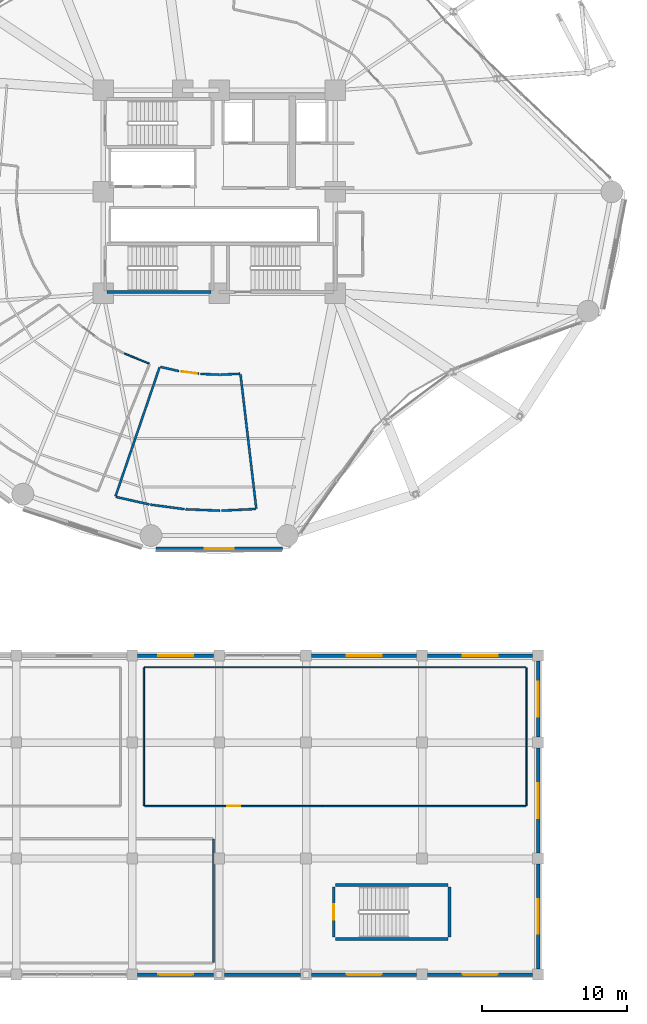
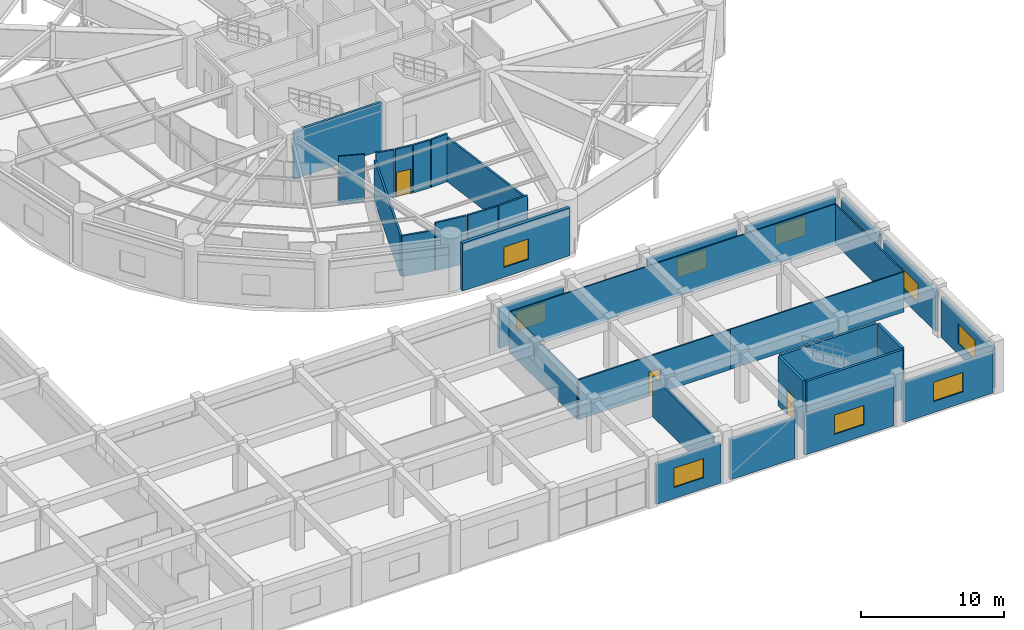
# One storey, part 43 of 53: 33 walls, 10 windows, 3 doors, 13 openings.
"""IFC4 building model written with IfcOpenShell, lengths in metres."""

from ifc_helpers import new_model, si_unit, direction, frame, frame_2d, origin, place, context, subcontext, project, spatial, rectangle, extrude, material, layer, layer_set, type_object, element, fill, save


model = new_model("IFC4")

# Units and contexts
model_context = context("Model", 3, precision=1e-05, world=origin(), true_north=direction((0.0, 1.0)))
body_context = subcontext(model_context, "Body", "Model", "MODEL_VIEW")
ifc_project = project(units=[si_unit("LENGTHUNIT", "METRE"), si_unit("AREAUNIT", "SQUARE_METRE"), si_unit("VOLUMEUNIT", "CUBIC_METRE"), si_unit("PLANEANGLEUNIT", "RADIAN"), si_unit("MASSUNIT", "GRAM", prefix="KILO")], contexts=[model_context])

# Site, building, storey
site_placement = place(None, origin())
site = spatial("IfcSite", under=ifc_project, at=site_placement, CompositionType="ELEMENT")
building_placement = place(site_placement, origin())
building = spatial("IfcBuilding", under=site, at=building_placement, Name="Kelanora Arch Commons", CompositionType="ELEMENT")
storey_placement = place(building_placement, frame((0.0, 0.0, 9.0)))
storey = spatial("IfcBuildingStorey", under=building, at=storey_placement, Name="L02", CompositionType="ELEMENT", Elevation=9.0)

# Wall, opening, door
ifc_material_1 = material(Name="Autoclaved aerated concrete blockwork with fire plaster", Category="masonry")
ifc_layer_1 = layer(ifc_material_1, 0.14990234375)
ifc_layer_set_1 = layer_set([ifc_layer_1], Name="Autoclaved aerated concrete blockwork with fire plaster")
wall_type_1 = type_object("IfcWallType", Name="W-COMP-150", PredefinedType="PARTITIONING", material=ifc_layer_set_1)
wall_1_placement = place(storey_placement, frame((71.324462890625, 45.614013671875, 0.0), z_axis=(0.0, 0.0, 1.0), x_axis=(0.991368591811, -0.131104214925, 0.0)))
wall_1 = element("IfcWall", 1, at=wall_1_placement, inside=storey, type_object=wall_type_1, Name="Tower Podium Study Archive Store L02 Entry Partition", PredefinedType="PARTITIONING", context=body_context, shape_type="SweptSolid", body=[
    extrude(rectangle(XDim=1.282958984375, YDim=0.14990234375, at=frame_2d((0.6416015625, 0.0))), origin(), (0.0, 0.0, 1.0), 4.090087890625),
])
opening_1_placement = place(wall_1_placement, frame((0.10205078125, 0.0, 0.0)))
opening_1 = element("IfcOpeningElement", 2, at=opening_1_placement, cuts=wall_1, Name="Opening D-PLT1", PredefinedType="OPENING", context=body_context, shape_type="SweptSolid", body=[
    extrude(rectangle(XDim=1.080078125, YDim=2.10009765625, at=frame_2d((0.5400390625, 1.050048828125))), frame((0.0, 0.0849609375, 0.0), z_axis=(0.0, -1.0, 0.0), x_axis=(1.0, 0.0, 0.0)), (0.0, 0.0, 1.0), 0.169921875),
])
ifc_material_2 = material(Name="Galvanised steel plant and riser fire door", Category="steel")
door_type_1 = type_object("IfcDoorType", Name="D-PLT-110", OperationType="NOTDEFINED", PredefinedType="DOOR", material=ifc_material_2)
door_1_placement = place(opening_1_placement, origin())
door_1 = element("IfcDoor", 3, at=door_1_placement, inside=storey, type_object=door_type_1, Name="Tower Podium Study Archive Store L02 Door", OperationType="SINGLE_SWING_LEFT", OverallHeight=2.10009765625, OverallWidth=1.080078125, PredefinedType="DOOR", context=body_context, shape_type="SweptSolid", body=[
    extrude(rectangle(XDim=1.080078125, YDim=2.10009765625, at=frame_2d((0.5400390625, 1.050048828125))), frame((0.0, 0.02490234375, 0.0), z_axis=(0.0, -1.0, 0.0), x_axis=(1.0, 0.0, 0.0)), (0.0, 0.0, 1.0), 0.050048828125),
])
fill(opening_1, door_1)

# Walls
wall_2_placement = place(storey_placement, frame((73.60009765625, 4.840087890625, 0.0), z_axis=(0.0, 0.0, 1.0), x_axis=(0.0, 1.0, 0.0)))
element("IfcWall", 4, at=wall_2_placement, inside=storey, type_object=wall_type_1, Name="Market South Cold Room and Dry Store L02 Enclosure Partition 2", PredefinedType="PARTITIONING", context=body_context, shape_type="SweptSolid", body=[
    extrude(rectangle(XDim=8.5, YDim=0.14990234375, at=frame_2d((4.25, 0.0))), origin(), (0.0, 0.0, 1.0), 3.425048828125),
])
wall_3_placement = place(storey_placement, frame((69.93994140625, 45.922119140625, 0.0), z_axis=(0.0, 0.0, 1.0), x_axis=(0.975303517649, -0.220868849005, 0.0)))
element("IfcWall", 5, at=wall_3_placement, inside=storey, type_object=wall_type_1, Name="Tower Podium Study Archive Store L02 Enclosure Partition 1", PredefinedType="PARTITIONING", context=body_context, shape_type="SweptSolid", body=[
    extrude(rectangle(XDim=1.318603515625, YDim=0.14990234375, at=frame_2d((0.6591796875, 0.0))), origin(), (0.0, 0.0, 1.0), 4.090087890625),
])
wall_4_placement = place(storey_placement, frame((72.696044921875, 45.436279296875, 0.0), z_axis=(0.0, 0.0, 1.0), x_axis=(0.99914926966, -0.041239991967, 0.0)))
element("IfcWall", 6, at=wall_4_placement, inside=storey, type_object=wall_type_1, Name="Tower Podium Study Archive Store L02 Enclosure Partition 3", PredefinedType="PARTITIONING", context=body_context, shape_type="SweptSolid", body=[
    extrude(rectangle(XDim=1.326171875, YDim=0.14990234375, at=frame_2d((0.6630859375, 0.0))), origin(), (0.0, 0.0, 1.0), 4.090087890625),
])
wall_5_placement = place(storey_placement, frame((74.10107421875, 45.382080078125, 0.0), z_axis=(0.0, 0.0, 1.0), x_axis=(0.998799198372, 0.04899144141, 0.0)))
element("IfcWall", 7, at=wall_5_placement, inside=storey, type_object=wall_type_1, Name="Tower Podium Study Archive Store L02 Enclosure Partition 4", PredefinedType="PARTITIONING", context=body_context, shape_type="SweptSolid", body=[
    extrude(rectangle(XDim=1.32568359375, YDim=0.14990234375, at=frame_2d((0.662841796875, 0.0))), origin(), (0.0, 0.0, 1.0), 4.090087890625),
])
wall_6_placement = place(storey_placement, frame((75.4697265625, 45.4091796875, 0.0), z_axis=(0.0, 0.0, 1.0), x_axis=(0.116693695048, -0.99316795233, 0.0)))
element("IfcWall", 8, at=wall_6_placement, inside=storey, type_object=wall_type_1, Name="Tower Podium Study Archive Store L02 Enclosure Partition 5", PredefinedType="PARTITIONING", context=body_context, shape_type="SweptSolid", body=[
    extrude(rectangle(XDim=9.312255859375, YDim=0.14990234375, at=frame_2d((4.65625, 0.0))), origin(), (0.0, 0.0, 1.0), 3.784912109375),
])
for number, where, z_axis, x_axis, name in (
    (9, (76.52099609375, 36.118896484375, 0.0), (0.0, 0.0, 1.0), (-0.998788951196, -0.049199908229, 0.0), "Tower Podium Study Archive Store L02 Enclosure Partition 6"),
    (10, (74.06689453125, 36.001708984375, 0.0), (0.0, 0.0, 1.0), (-0.999155708173, 0.041083705106, 0.0), "Tower Podium Study Archive Store L02 Enclosure Partition 7"),
):
    element("IfcWall", number, at=place(storey_placement, frame(where, z_axis=z_axis, x_axis=x_axis)), inside=storey, type_object=wall_type_1, Name=name, PredefinedType="PARTITIONING", context=body_context, shape_type="SweptSolid", body=[
        extrude(rectangle(XDim=2.376953125, YDim=0.14990234375, at=frame_2d((1.1884765625, 0.0))), origin(), (0.0, 0.0, 1.0), 4.090087890625),
    ])
wall_7_placement = place(storey_placement, frame((71.6123046875, 36.106201171875, 0.0), z_axis=(0.0, 0.0, 1.0), x_axis=(-0.991346104904, 0.131274141745, 0.0)))
element("IfcWall", 11, at=wall_7_placement, inside=storey, type_object=wall_type_1, Name="Tower Podium Study Archive Store L02 Enclosure Partition 8", PredefinedType="PARTITIONING", context=body_context, shape_type="SweptSolid", body=[
    extrude(rectangle(XDim=2.373046875, YDim=0.14990234375, at=frame_2d((1.1865234375, 0.0))), origin(), (0.0, 0.0, 1.0), 4.090087890625),
])
wall_8_placement = place(storey_placement, frame((69.180908203125, 36.431884765625, 0.0), z_axis=(0.0, 0.0, 1.0), x_axis=(-0.975459616938, 0.220178417932, 0.0)))
element("IfcWall", 12, at=wall_8_placement, inside=storey, type_object=wall_type_1, Name="Tower Podium Study Archive Store L02 Enclosure Partition 9", PredefinedType="PARTITIONING", context=body_context, shape_type="SweptSolid", body=[
    extrude(rectangle(XDim=2.363037109375, YDim=0.14990234375, at=frame_2d((1.181640625, 0.0))), origin(), (0.0, 0.0, 1.0), 3.485107421875),
])
wall_9_placement = place(storey_placement, frame((66.849853515625, 36.998779296875, 0.0), z_axis=(0.0, 0.0, 1.0), x_axis=(0.323263569932, 0.946308968759, 0.0)))
element("IfcWall", 13, at=wall_9_placement, inside=storey, type_object=wall_type_1, Name="Tower Podium Study Archive Store L02 Enclosure Partition 10", PredefinedType="PARTITIONING", context=body_context, shape_type="SweptSolid", body=[
    extrude(rectangle(XDim=9.39892578125, YDim=0.14990234375, at=frame_2d((4.699462890625, 0.0))), origin(), (0.0, 0.0, 1.0), 3.485107421875),
])

# Wall, opening, window
ifc_material_3 = material(Name="Precast concrete C40/50 with terracotta ceramic cladding", Category="masonry")
ifc_layer_2 = layer(ifc_material_3, 0.25)
ifc_layer_set_2 = layer_set([ifc_layer_2], Name="Precast concrete C40/50 with terracotta ceramic cladding")
wall_type_2 = type_object("IfcWallType", Name="W-EXT-MKT", PredefinedType="SOLIDWALL", material=ifc_layer_set_2)
wall_10_placement = place(storey_placement, frame((68.3798828125, 4.0, 0.0), z_axis=(0.0, 0.0, 1.0), x_axis=(1.0, 0.0, 0.0)))
wall_10 = element("IfcWall", 14, at=wall_10_placement, inside=storey, type_object=wall_type_2, Name="Market Hall Exterior Wall L02-08", PredefinedType="SOLIDWALL", context=body_context, shape_type="SweptSolid", body=[
    extrude(rectangle(XDim=5.240234375, YDim=0.25, at=frame_2d((2.6201171875, 0.0))), origin(), (0.0, 0.0, 1.0), 3.419921875),
])
opening_2_placement = place(wall_10_placement, frame((1.419921875, 0.0, 0.949951171875)))
opening_2 = element("IfcOpeningElement", 15, at=opening_2_placement, cuts=wall_10, Name="Opening WN-03", PredefinedType="OPENING", context=body_context, shape_type="SweptSolid", body=[
    extrude(rectangle(XDim=2.39990234375, YDim=1.64990234375, at=frame_2d((1.199951171875, 0.824951171875))), frame((0.0, 0.135009765625, 0.0), z_axis=(0.0, -1.0, 0.0), x_axis=(1.0, 0.0, 0.0)), (0.0, 0.0, 1.0), 0.27001953125),
])
ifc_material_4 = material(Name="Bronze-terracotta aluminium monsoon clerestory window", Category="masonry")
window_type_1 = type_object("IfcWindowType", Name="WIN-MKT-24", PartitioningType="TRIPLE_PANEL_VERTICAL", PredefinedType="WINDOW", material=ifc_material_4)
window_1_placement = place(opening_2_placement, origin())
window_1 = element("IfcWindow", 16, at=window_1_placement, inside=storey, type_object=window_type_1, Name="Market Hall Clerestory Window L02-08", OverallHeight=1.64990234375, OverallWidth=2.39990234375, PartitioningType="SINGLE_PANEL", PredefinedType="WINDOW", context=body_context, shape_type="SweptSolid", body=[
    extrude(rectangle(XDim=2.39990234375, YDim=1.64990234375, at=frame_2d((1.199951171875, 0.824951171875))), frame((0.0, 0.030029296875, 0.0), z_axis=(0.0, -1.0, 0.0), x_axis=(1.0, 0.0, 0.0)), (0.0, 0.0, 1.0), 0.06005859375),
])
fill(opening_2, window_1)

# Wall
wall_11_placement = place(storey_placement, frame((74.3798828125, 4.0, 0.0), z_axis=(0.0, 0.0, 1.0), x_axis=(1.0, 0.0, 0.0)))
element("IfcWall", 17, at=wall_11_placement, inside=storey, type_object=wall_type_2, Name="Market Hall Exterior Wall L02-09", PredefinedType="SOLIDWALL", context=body_context, shape_type="SweptSolid", body=[
    extrude(rectangle(XDim=5.240234375, YDim=0.25, at=frame_2d((2.6201171875, 0.0))), origin(), (0.0, 0.0, 1.0), 3.419921875),
])

# Wall, opening, window
wall_12_placement = place(storey_placement, frame((80.3798828125, 4.0, 0.0), z_axis=(0.0, 0.0, 1.0), x_axis=(1.0, 0.0, 0.0)))
wall_12 = element("IfcWall", 18, at=wall_12_placement, inside=storey, type_object=wall_type_2, Name="Market Hall Exterior Wall L02-10", PredefinedType="SOLIDWALL", context=body_context, shape_type="SweptSolid", body=[
    extrude(rectangle(XDim=7.240234375, YDim=0.25, at=frame_2d((3.6201171875, 0.0))), origin(), (0.0, 0.0, 1.0), 3.419921875),
])
opening_3_placement = place(wall_12_placement, frame((2.419921875, 0.0, 0.949951171875)))
opening_3 = element("IfcOpeningElement", 19, at=opening_3_placement, cuts=wall_12, Name="Opening WN-03", PredefinedType="OPENING", context=body_context, shape_type="SweptSolid", body=[
    extrude(rectangle(XDim=2.39990234375, YDim=1.64990234375, at=frame_2d((1.199951171875, 0.824951171875))), frame((0.0, 0.135009765625, 0.0), z_axis=(0.0, -1.0, 0.0), x_axis=(1.0, 0.0, 0.0)), (0.0, 0.0, 1.0), 0.27001953125),
])
window_2_placement = place(opening_3_placement, origin())
window_2 = element("IfcWindow", 20, at=window_2_placement, inside=storey, type_object=window_type_1, Name="Market Hall Clerestory Window L02-10", OverallHeight=1.64990234375, OverallWidth=2.39990234375, PartitioningType="SINGLE_PANEL", PredefinedType="WINDOW", context=body_context, shape_type="SweptSolid", body=[
    extrude(rectangle(XDim=2.39990234375, YDim=1.64990234375, at=frame_2d((1.199951171875, 0.824951171875))), frame((0.0, 0.030029296875, 0.0), z_axis=(0.0, -1.0, 0.0), x_axis=(1.0, 0.0, 0.0)), (0.0, 0.0, 1.0), 0.06005859375),
])
fill(opening_3, window_2)

wall_13_placement = place(storey_placement, frame((88.3798828125, 4.0, 0.0), z_axis=(0.0, 0.0, 1.0), x_axis=(1.0, 0.0, 0.0)))
wall_13 = element("IfcWall", 21, at=wall_13_placement, inside=storey, type_object=wall_type_2, Name="Market Hall Exterior Wall L02-11", PredefinedType="SOLIDWALL", context=body_context, shape_type="SweptSolid", body=[
    extrude(rectangle(XDim=7.240234375, YDim=0.25, at=frame_2d((3.6201171875, 0.0))), origin(), (0.0, 0.0, 1.0), 3.419921875),
])
opening_4_placement = place(wall_13_placement, frame((2.419921875, 0.0, 0.949951171875)))
opening_4 = element("IfcOpeningElement", 22, at=opening_4_placement, cuts=wall_13, Name="Opening WN-03", PredefinedType="OPENING", context=body_context, shape_type="SweptSolid", body=[
    extrude(rectangle(XDim=2.39990234375, YDim=1.64990234375, at=frame_2d((1.199951171875, 0.824951171875))), frame((0.0, 0.135009765625, 0.0), z_axis=(0.0, -1.0, 0.0), x_axis=(1.0, 0.0, 0.0)), (0.0, 0.0, 1.0), 0.27001953125),
])
window_3_placement = place(opening_4_placement, origin())
window_3 = element("IfcWindow", 23, at=window_3_placement, inside=storey, type_object=window_type_1, Name="Market Hall Clerestory Window L02-11", OverallHeight=1.64990234375, OverallWidth=2.39990234375, PartitioningType="SINGLE_PANEL", PredefinedType="WINDOW", context=body_context, shape_type="SweptSolid", body=[
    extrude(rectangle(XDim=2.39990234375, YDim=1.64990234375, at=frame_2d((1.199951171875, 0.824951171875))), frame((0.0, 0.030029296875, 0.0), z_axis=(0.0, -1.0, 0.0), x_axis=(1.0, 0.0, 0.0)), (0.0, 0.0, 1.0), 0.06005859375),
])
fill(opening_4, window_3)

wall_14_placement = place(storey_placement, frame((96.0, 4.3798828125, 0.0), z_axis=(0.0, 0.0, 1.0), x_axis=(0.0, 1.0, 0.0)))
wall_14 = element("IfcWall", 24, at=wall_14_placement, inside=storey, type_object=wall_type_2, Name="Market Hall Exterior Wall L02-12", PredefinedType="SOLIDWALL", context=body_context, shape_type="SweptSolid", body=[
    extrude(rectangle(XDim=7.240234375, YDim=0.25, at=frame_2d((3.6201171875, 0.0))), origin(), (0.0, 0.0, 1.0), 3.419921875),
])
opening_5_placement = place(wall_14_placement, frame((2.419921875, 0.0, 0.949951171875)))
opening_5 = element("IfcOpeningElement", 25, at=opening_5_placement, cuts=wall_14, Name="Opening WN-03", PredefinedType="OPENING", context=body_context, shape_type="SweptSolid", body=[
    extrude(rectangle(XDim=2.39990234375, YDim=1.64990234375, at=frame_2d((1.199951171875, 0.824951171875))), frame((0.0, 0.135009765625, 0.0), z_axis=(0.0, -1.0, 0.0), x_axis=(1.0, 0.0, 0.0)), (0.0, 0.0, 1.0), 0.27001953125),
])
window_4_placement = place(opening_5_placement, origin())
window_4 = element("IfcWindow", 26, at=window_4_placement, inside=storey, type_object=window_type_1, Name="Market Hall Clerestory Window L02-12", OverallHeight=1.64990234375, OverallWidth=2.39990234375, PartitioningType="SINGLE_PANEL", PredefinedType="WINDOW", context=body_context, shape_type="SweptSolid", body=[
    extrude(rectangle(XDim=2.39990234375, YDim=1.64990234375, at=frame_2d((1.199951171875, 0.824951171875))), frame((0.0, 0.030029296875, 0.0), z_axis=(0.0, -1.0, 0.0), x_axis=(1.0, 0.0, 0.0)), (0.0, 0.0, 1.0), 0.06005859375),
])
fill(opening_5, window_4)

wall_15_placement = place(storey_placement, frame((96.0, 12.3798828125, 0.0), z_axis=(0.0, 0.0, 1.0), x_axis=(0.0, 1.0, 0.0)))
wall_15 = element("IfcWall", 27, at=wall_15_placement, inside=storey, type_object=wall_type_2, Name="Market Hall Exterior Wall L02-13", PredefinedType="SOLIDWALL", context=body_context, shape_type="SweptSolid", body=[
    extrude(rectangle(XDim=7.240234375, YDim=0.25, at=frame_2d((3.6201171875, 0.0))), origin(), (0.0, 0.0, 1.0), 3.419921875),
])
opening_6_placement = place(wall_15_placement, frame((2.419921875, 0.0, 0.949951171875)))
opening_6 = element("IfcOpeningElement", 28, at=opening_6_placement, cuts=wall_15, Name="Opening WN-03", PredefinedType="OPENING", context=body_context, shape_type="SweptSolid", body=[
    extrude(rectangle(XDim=2.39990234375, YDim=1.64990234375, at=frame_2d((1.199951171875, 0.824951171875))), frame((0.0, 0.135009765625, 0.0), z_axis=(0.0, -1.0, 0.0), x_axis=(1.0, 0.0, 0.0)), (0.0, 0.0, 1.0), 0.27001953125),
])
window_5_placement = place(opening_6_placement, origin())
window_5 = element("IfcWindow", 29, at=window_5_placement, inside=storey, type_object=window_type_1, Name="Market Hall Clerestory Window L02-13", OverallHeight=1.64990234375, OverallWidth=2.39990234375, PartitioningType="SINGLE_PANEL", PredefinedType="WINDOW", context=body_context, shape_type="SweptSolid", body=[
    extrude(rectangle(XDim=2.39990234375, YDim=1.64990234375, at=frame_2d((1.199951171875, 0.824951171875))), frame((0.0, 0.030029296875, 0.0), z_axis=(0.0, -1.0, 0.0), x_axis=(1.0, 0.0, 0.0)), (0.0, 0.0, 1.0), 0.06005859375),
])
fill(opening_6, window_5)

wall_16_placement = place(storey_placement, frame((96.0, 20.3798828125, 0.0), z_axis=(0.0, 0.0, 1.0), x_axis=(0.0, 1.0, 0.0)))
wall_16 = element("IfcWall", 30, at=wall_16_placement, inside=storey, type_object=wall_type_2, Name="Market Hall Exterior Wall L02-14", PredefinedType="SOLIDWALL", context=body_context, shape_type="SweptSolid", body=[
    extrude(rectangle(XDim=5.240234375, YDim=0.25, at=frame_2d((2.6201171875, 0.0))), origin(), (0.0, 0.0, 1.0), 3.419921875),
])
opening_7_placement = place(wall_16_placement, frame((1.419921875, 0.0, 0.949951171875)))
opening_7 = element("IfcOpeningElement", 31, at=opening_7_placement, cuts=wall_16, Name="Opening WN-03", PredefinedType="OPENING", context=body_context, shape_type="SweptSolid", body=[
    extrude(rectangle(XDim=2.39990234375, YDim=1.64990234375, at=frame_2d((1.199951171875, 0.824951171875))), frame((0.0, 0.135009765625, 0.0), z_axis=(0.0, -1.0, 0.0), x_axis=(1.0, 0.0, 0.0)), (0.0, 0.0, 1.0), 0.27001953125),
])
window_6_placement = place(opening_7_placement, origin())
window_6 = element("IfcWindow", 32, at=window_6_placement, inside=storey, type_object=window_type_1, Name="Market Hall Clerestory Window L02-14", OverallHeight=1.64990234375, OverallWidth=2.39990234375, PartitioningType="SINGLE_PANEL", PredefinedType="WINDOW", context=body_context, shape_type="SweptSolid", body=[
    extrude(rectangle(XDim=2.39990234375, YDim=1.64990234375, at=frame_2d((1.199951171875, 0.824951171875))), frame((0.0, 0.030029296875, 0.0), z_axis=(0.0, -1.0, 0.0), x_axis=(1.0, 0.0, 0.0)), (0.0, 0.0, 1.0), 0.06005859375),
])
fill(opening_7, window_6)

wall_17_placement = place(storey_placement, frame((95.6201171875, 26.0, 0.0), z_axis=(0.0, 0.0, 1.0), x_axis=(-1.0, 0.0, 0.0)))
wall_17 = element("IfcWall", 33, at=wall_17_placement, inside=storey, type_object=wall_type_2, Name="Market Hall Exterior Wall L02-15", PredefinedType="SOLIDWALL", context=body_context, shape_type="SweptSolid", body=[
    extrude(rectangle(XDim=7.240234375, YDim=0.25, at=frame_2d((3.6201171875, 0.0))), origin(), (0.0, 0.0, 1.0), 3.419921875),
])
opening_8_placement = place(wall_17_placement, frame((2.419921875, 0.0, 0.949951171875)))
opening_8 = element("IfcOpeningElement", 34, at=opening_8_placement, cuts=wall_17, Name="Opening WN-03", PredefinedType="OPENING", context=body_context, shape_type="SweptSolid", body=[
    extrude(rectangle(XDim=2.39990234375, YDim=1.64990234375, at=frame_2d((1.199951171875, 0.824951171875))), frame((0.0, 0.135009765625, 0.0), z_axis=(0.0, -1.0, 0.0), x_axis=(1.0, 0.0, 0.0)), (0.0, 0.0, 1.0), 0.27001953125),
])
window_7_placement = place(opening_8_placement, origin())
window_7 = element("IfcWindow", 35, at=window_7_placement, inside=storey, type_object=window_type_1, Name="Market Hall Clerestory Window L02-15", OverallHeight=1.64990234375, OverallWidth=2.39990234375, PartitioningType="SINGLE_PANEL", PredefinedType="WINDOW", context=body_context, shape_type="SweptSolid", body=[
    extrude(rectangle(XDim=2.39990234375, YDim=1.64990234375, at=frame_2d((1.199951171875, 0.824951171875))), frame((0.0, 0.030029296875, 0.0), z_axis=(0.0, -1.0, 0.0), x_axis=(1.0, 0.0, 0.0)), (0.0, 0.0, 1.0), 0.06005859375),
])
fill(opening_8, window_7)

wall_18_placement = place(storey_placement, frame((87.6201171875, 26.0, 0.0), z_axis=(0.0, 0.0, 1.0), x_axis=(-1.0, 0.0, 0.0)))
wall_18 = element("IfcWall", 36, at=wall_18_placement, inside=storey, type_object=wall_type_2, Name="Market Hall Exterior Wall L02-16", PredefinedType="SOLIDWALL", context=body_context, shape_type="SweptSolid", body=[
    extrude(rectangle(XDim=7.240234375, YDim=0.25, at=frame_2d((3.6201171875, 0.0))), origin(), (0.0, 0.0, 1.0), 3.419921875),
])
opening_9_placement = place(wall_18_placement, frame((2.419921875, 0.0, 0.949951171875)))
opening_9 = element("IfcOpeningElement", 37, at=opening_9_placement, cuts=wall_18, Name="Opening WN-03", PredefinedType="OPENING", context=body_context, shape_type="SweptSolid", body=[
    extrude(rectangle(XDim=2.39990234375, YDim=1.64990234375, at=frame_2d((1.199951171875, 0.824951171875))), frame((0.0, 0.135009765625, 0.0), z_axis=(0.0, -1.0, 0.0), x_axis=(1.0, 0.0, 0.0)), (0.0, 0.0, 1.0), 0.27001953125),
])
window_8_placement = place(opening_9_placement, origin())
window_8 = element("IfcWindow", 38, at=window_8_placement, inside=storey, type_object=window_type_1, Name="Market Hall Clerestory Window L02-16", OverallHeight=1.64990234375, OverallWidth=2.39990234375, PartitioningType="SINGLE_PANEL", PredefinedType="WINDOW", context=body_context, shape_type="SweptSolid", body=[
    extrude(rectangle(XDim=2.39990234375, YDim=1.64990234375, at=frame_2d((1.199951171875, 0.824951171875))), frame((0.0, 0.030029296875, 0.0), z_axis=(0.0, -1.0, 0.0), x_axis=(1.0, 0.0, 0.0)), (0.0, 0.0, 1.0), 0.06005859375),
])
fill(opening_9, window_8)

wall_19_placement = place(storey_placement, frame((73.6201171875, 26.0, 0.0), z_axis=(0.0, 0.0, 1.0), x_axis=(-1.0, 0.0, 0.0)))
wall_19 = element("IfcWall", 39, at=wall_19_placement, inside=storey, type_object=wall_type_2, Name="Market Hall Exterior Wall L02-18", PredefinedType="SOLIDWALL", context=body_context, shape_type="SweptSolid", body=[
    extrude(rectangle(XDim=5.240234375, YDim=0.25, at=frame_2d((2.6201171875, 0.0))), origin(), (0.0, 0.0, 1.0), 3.419921875),
])
opening_10_placement = place(wall_19_placement, frame((1.419921875, 0.0, 0.949951171875)))
opening_10 = element("IfcOpeningElement", 40, at=opening_10_placement, cuts=wall_19, Name="Opening WN-03", PredefinedType="OPENING", context=body_context, shape_type="SweptSolid", body=[
    extrude(rectangle(XDim=2.39990234375, YDim=1.64990234375, at=frame_2d((1.199951171875, 0.824951171875))), frame((0.0, 0.135009765625, 0.0), z_axis=(0.0, -1.0, 0.0), x_axis=(1.0, 0.0, 0.0)), (0.0, 0.0, 1.0), 0.27001953125),
])
window_9_placement = place(opening_10_placement, origin())
window_9 = element("IfcWindow", 41, at=window_9_placement, inside=storey, type_object=window_type_1, Name="Market Hall Clerestory Window L02-18", OverallHeight=1.64990234375, OverallWidth=2.39990234375, PartitioningType="SINGLE_PANEL", PredefinedType="WINDOW", context=body_context, shape_type="SweptSolid", body=[
    extrude(rectangle(XDim=2.39990234375, YDim=1.64990234375, at=frame_2d((1.199951171875, 0.824951171875))), frame((0.0, 0.030029296875, 0.0), z_axis=(0.0, -1.0, 0.0), x_axis=(1.0, 0.0, 0.0)), (0.0, 0.0, 1.0), 0.06005859375),
])
fill(opening_10, window_9)

ifc_material_5 = material(Name="Precast concrete C40/50 with terracotta rainscreen", Category="masonry")
ifc_layer_3 = layer(ifc_material_5, 0.260009765625)
ifc_layer_set_3 = layer_set([ifc_layer_3], Name="Precast concrete C40/50 with terracotta rainscreen")
wall_type_3 = type_object("IfcWallType", Name="W-EXT-TC", PredefinedType="SOLIDWALL", material=ifc_layer_set_3)
wall_20_placement = place(storey_placement, frame((69.64404296875, 33.3798828125, 0.0), z_axis=(0.0, 0.0, 1.0), x_axis=(1.0, 0.0, 0.0)))
wall_20 = element("IfcWall", 42, at=wall_20_placement, inside=storey, type_object=wall_type_3, Name="Terracotta Exterior Wall L02-B13", PredefinedType="SOLIDWALL", context=body_context, shape_type="SweptSolid", body=[
    extrude(rectangle(XDim=8.7119140625, YDim=0.260009765625, at=frame_2d((4.35595703125, 0.0))), origin(), (0.0, 0.0, 1.0), 4.0849609375),
])
opening_11_placement = place(wall_20_placement, frame((3.35595703125, 0.0, 0.85009765625)))
opening_11 = element("IfcOpeningElement", 43, at=opening_11_placement, cuts=wall_20, Name="Opening WN-05", PredefinedType="OPENING", context=body_context, shape_type="SweptSolid", body=[
    extrude(rectangle(XDim=2.0, YDim=1.75, at=frame_2d((1.0, 0.875))), frame((0.0, 0.14013671875, 0.0), z_axis=(0.0, -1.0, 0.0), x_axis=(1.0, 0.0, 0.0)), (0.0, 0.0, 1.0), 0.280029296875),
])
ifc_material_6 = material(Name="Terracotta-anodised aluminium podium window", Category="masonry")
window_type_2 = type_object("IfcWindowType", Name="WIN-POD-20", PartitioningType="TRIPLE_PANEL_VERTICAL", PredefinedType="WINDOW", material=ifc_material_6)
window_10_placement = place(opening_11_placement, origin())
window_10 = element("IfcWindow", 44, at=window_10_placement, inside=storey, type_object=window_type_2, Name="Podium Window L02-B13", OverallHeight=1.75, OverallWidth=2.0, PartitioningType="SINGLE_PANEL", PredefinedType="WINDOW", context=body_context, shape_type="SweptSolid", body=[
    extrude(rectangle(XDim=2.0, YDim=1.75, at=frame_2d((1.0, 0.875))), frame((0.0, 0.030029296875, 0.0), z_axis=(0.0, -1.0, 0.0), x_axis=(1.0, 0.0, 0.0)), (0.0, 0.0, 1.0), 0.06005859375),
])
fill(opening_11, window_10)

# Walls
ifc_material_7 = material(Name="Lightweight fire-rated acoustic stud partition")
ifc_layer_4 = layer(ifc_material_7, 0.10009765625)
ifc_layer_set_4 = layer_set([ifc_layer_4], Name="Lightweight fire-rated acoustic stud partition")
wall_type_4 = type_object("IfcWallType", Name="W-PART-100", PredefinedType="PARTITIONING", material=ifc_layer_set_4)
wall_21_placement = place(storey_placement, frame((81.139892578125, 15.6201171875, 0.0), z_axis=(0.0, 0.0, 1.0), x_axis=(1.0, 0.0, 0.0)))
element("IfcWall", 45, at=wall_21_placement, inside=storey, type_object=wall_type_4, Name="Community Design Incubator Enclosure Partition 1", PredefinedType="PARTITIONING", context=body_context, shape_type="SweptSolid", body=[
    extrude(rectangle(XDim=14.02001953125, YDim=0.10009765625, at=frame_2d((7.010009765625, 0.0))), origin(), (0.0, 0.0, 1.0), 3.425048828125),
])
wall_22_placement = place(storey_placement, frame((95.199951171875, 15.659912109375, 0.0), z_axis=(0.0, 0.0, 1.0), x_axis=(0.0, 1.0, 0.0)))
element("IfcWall", 46, at=wall_22_placement, inside=storey, type_object=wall_type_4, Name="Community Design Incubator Enclosure Partition 2", PredefinedType="PARTITIONING", context=body_context, shape_type="SweptSolid", body=[
    extrude(rectangle(XDim=9.5, YDim=0.10009765625, at=frame_2d((4.75, 0.0))), origin(), (0.0, 0.0, 1.0), 3.425048828125),
])
wall_23_placement = place(storey_placement, frame((95.159912109375, 25.199951171875, 0.0), z_axis=(0.0, 0.0, 1.0), x_axis=(-1.0, 0.0, 0.0)))
element("IfcWall", 47, at=wall_23_placement, inside=storey, type_object=wall_type_4, Name="Community Design Incubator Enclosure Partition 3", PredefinedType="PARTITIONING", context=body_context, shape_type="SweptSolid", body=[
    extrude(rectangle(XDim=26.31982421875, YDim=0.10009765625, at=frame_2d((13.159912109375, 0.0))), origin(), (0.0, 0.0, 1.0), 3.425048828125),
])
wall_24_placement = place(storey_placement, frame((68.800048828125, 25.159912109375, 0.0), z_axis=(0.0, 0.0, 1.0), x_axis=(0.0, -1.0, 0.0)))
element("IfcWall", 48, at=wall_24_placement, inside=storey, type_object=wall_type_4, Name="Community Design Incubator Enclosure Partition 4", PredefinedType="PARTITIONING", context=body_context, shape_type="SweptSolid", body=[
    extrude(rectangle(XDim=9.5, YDim=0.10009765625, at=frame_2d((4.75, 0.0))), origin(), (0.0, 0.0, 1.0), 3.425048828125),
])
wall_25_placement = place(storey_placement, frame((67.455078125, 46.842041015625, 0.0), z_axis=(0.0, 0.0, 1.0), x_axis=(0.928312348694, -0.371801268505, 0.0)))
element("IfcWall", 49, at=wall_25_placement, inside=storey, type_object=wall_type_4, Name="Student Laundromat and Fitness Studio L02-C Enclosure Partition 4", PredefinedType="PARTITIONING", context=body_context, shape_type="SweptSolid", body=[
    extrude(rectangle(XDim=1.84521484375, YDim=0.10009765625, at=frame_2d((0.922607421875, 0.0))), origin(), (0.0, 0.0, 1.0), 4.090087890625),
])

# Wall, opening, door
ifc_material_8 = material(Name="Acoustic twin-stud fire-rated gypsum partition")
ifc_layer_5 = layer(ifc_material_8, 0.1201171875)
ifc_layer_set_5 = layer_set([ifc_layer_5], Name="Acoustic twin-stud fire-rated gypsum partition")
wall_type_5 = type_object("IfcWallType", Name="W-PART-120", PredefinedType="PARTITIONING", material=ifc_layer_set_5)
wall_26_placement = place(storey_placement, frame((68.860107421875, 15.6201171875, 0.0), z_axis=(0.0, 0.0, 1.0), x_axis=(1.0, 0.0, 0.0)))
wall_26 = element("IfcWall", 50, at=wall_26_placement, inside=storey, type_object=wall_type_5, Name="Community Design Incubator Entry Partition", PredefinedType="PARTITIONING", context=body_context, shape_type="SweptSolid", body=[
    extrude(rectangle(XDim=12.27978515625, YDim=0.1201171875, at=frame_2d((6.139892578125, 0.0))), origin(), (0.0, 0.0, 1.0), 3.425048828125),
])
opening_12_placement = place(wall_26_placement, frame((5.68994140625, 0.0, 0.0)))
opening_12 = element("IfcOpeningElement", 51, at=opening_12_placement, cuts=wall_26, Name="Opening D-RM1", PredefinedType="OPENING", context=body_context, shape_type="SweptSolid", body=[
    extrude(rectangle(XDim=0.89990234375, YDim=2.080078125, at=frame_2d((0.449951171875, 1.0400390625))), frame((0.0, 0.070068359375, 0.0), z_axis=(0.0, -1.0, 0.0), x_axis=(1.0, 0.0, 0.0)), (0.0, 0.0, 1.0), 0.14013671875),
])
ifc_material_9 = material(Name="Acoustic fire-rated timber study and lounge door", Category="wood")
door_type_2 = type_object("IfcDoorType", Name="D-ROOM-90", OperationType="NOTDEFINED", PredefinedType="DOOR", material=ifc_material_9)
door_2_placement = place(opening_12_placement, origin())
door_2 = element("IfcDoor", 52, at=door_2_placement, inside=storey, type_object=door_type_2, Name="Community Design Incubator Door", OperationType="SINGLE_SWING_LEFT", OverallHeight=2.080078125, OverallWidth=0.89990234375, PredefinedType="DOOR", context=body_context, shape_type="SweptSolid", body=[
    extrude(rectangle(XDim=0.89990234375, YDim=2.080078125, at=frame_2d((0.449951171875, 1.0400390625))), frame((0.0, 0.02490234375, 0.0), z_axis=(0.0, -1.0, 0.0), x_axis=(1.0, 0.0, 0.0)), (0.0, 0.0, 1.0), 0.050048828125),
])
fill(opening_12, door_2)

# Walls
ifc_material_10 = material(Name="Concrete C40/50", Category="concrete")
ifc_layer_6 = layer(ifc_material_10, 0.199951171875)
ifc_layer_set_6 = layer_set([ifc_layer_6], Name="Concrete C40/50")
wall_type_6 = type_object("IfcWallType", Name="W-STAIR-200", PredefinedType="SHEAR", material=ifc_layer_set_6)
wall_27_placement = place(storey_placement, frame((66.260009765625, 51.080078125, 0.0), z_axis=(0.0, 0.0, 1.0), x_axis=(1.0, 0.0, 0.0)))
element("IfcWall", 53, at=wall_27_placement, inside=storey, type_object=wall_type_6, Name="Stair ST-T3 Shaft Wall S L02", PredefinedType="SHEAR", context=body_context, shape_type="SweptSolid", body=[
    extrude(rectangle(XDim=7.159912109375, YDim=0.199951171875, at=frame_2d((3.580078125, 0.0))), origin(), (0.0, 0.0, 1.0), 4.10009765625),
])
wall_28_placement = place(storey_placement, frame((82.02001953125, 6.4599609375, 0.0), z_axis=(0.0, 0.0, 1.0), x_axis=(1.0, 0.0, 0.0)))
element("IfcWall", 54, at=wall_28_placement, inside=storey, type_object=wall_type_6, Name="Stair ST-M2 Shaft Wall S L02", PredefinedType="SHEAR", context=body_context, shape_type="SweptSolid", body=[
    extrude(rectangle(XDim=7.760009765625, YDim=0.199951171875, at=frame_2d((3.8798828125, 0.0))), origin(), (0.0, 0.0, 1.0), 4.239990234375),
])
wall_29_placement = place(storey_placement, frame((89.89990234375, 6.580078125, 0.0), z_axis=(0.0, 0.0, 1.0), x_axis=(0.0, 1.0, 0.0)))
element("IfcWall", 55, at=wall_29_placement, inside=storey, type_object=wall_type_6, Name="Stair ST-M2 Shaft Wall E L02", PredefinedType="SHEAR", context=body_context, shape_type="SweptSolid", body=[
    extrude(rectangle(XDim=3.469970703125, YDim=0.199951171875, at=frame_2d((1.73486328125, 0.0))), origin(), (0.0, 0.0, 1.0), 4.239990234375),
])
wall_30_placement = place(storey_placement, frame((89.780029296875, 10.169921875, 0.0), z_axis=(0.0, 0.0, 1.0), x_axis=(-1.0, 0.0, 0.0)))
element("IfcWall", 56, at=wall_30_placement, inside=storey, type_object=wall_type_6, Name="Stair ST-M2 Shaft Wall N L02", PredefinedType="SHEAR", context=body_context, shape_type="SweptSolid", body=[
    extrude(rectangle(XDim=7.760009765625, YDim=0.199951171875, at=frame_2d((3.8798828125, 0.0))), origin(), (0.0, 0.0, 1.0), 4.239990234375),
])

# Wall, opening, door
wall_31_placement = place(storey_placement, frame((81.89990234375, 10.050048828125, 0.0), z_axis=(0.0, 0.0, 1.0), x_axis=(0.0, -1.0, 0.0)))
wall_31 = element("IfcWall", 57, at=wall_31_placement, inside=storey, type_object=wall_type_6, Name="Stair ST-M2 Shaft Wall W L02", PredefinedType="SHEAR", context=body_context, shape_type="SweptSolid", body=[
    extrude(rectangle(XDim=3.469970703125, YDim=0.199951171875, at=frame_2d((1.73486328125, 0.0))), origin(), (0.0, 0.0, 1.0), 4.239990234375),
])
opening_13_placement = place(wall_31_placement, frame((1.2099609375, 0.0, 0.0)))
opening_13 = element("IfcOpeningElement", 58, at=opening_13_placement, cuts=wall_31, Name="Opening D-ST1", PredefinedType="OPENING", context=body_context, shape_type="SweptSolid", body=[
    extrude(rectangle(XDim=1.050048828125, YDim=2.10009765625, at=frame_2d((0.52490234375, 1.050048828125))), frame((0.0, 0.10986328125, 0.0), z_axis=(0.0, -1.0, 0.0), x_axis=(1.0, 0.0, 0.0)), (0.0, 0.0, 1.0), 0.219970703125),
])
ifc_material_11 = material(Name="Steel fire-rated stairwell escape door", Category="steel")
door_type_3 = type_object("IfcDoorType", Name="D-STAIR-110", OperationType="NOTDEFINED", PredefinedType="DOOR", material=ifc_material_11)
door_3_placement = place(opening_13_placement, origin())
door_3 = element("IfcDoor", 59, at=door_3_placement, inside=storey, type_object=door_type_3, Name="Stair ST-M2 Escape Door L02", OperationType="SINGLE_SWING_LEFT", OverallHeight=2.10009765625, OverallWidth=1.050048828125, PredefinedType="DOOR", context=body_context, shape_type="SweptSolid", body=[
    extrude(rectangle(XDim=1.050048828125, YDim=2.10009765625, at=frame_2d((0.52490234375, 1.050048828125))), frame((0.0, 0.02490234375, 0.0), z_axis=(0.0, -1.0, 0.0), x_axis=(1.0, 0.0, 0.0)), (0.0, 0.0, 1.0), 0.050048828125),
])
fill(opening_13, door_3)

save(model, "model.ifc")
